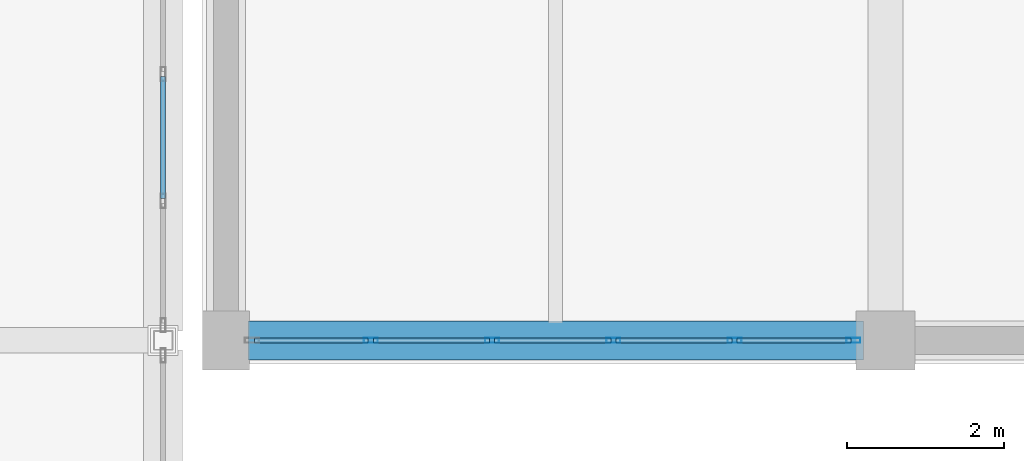
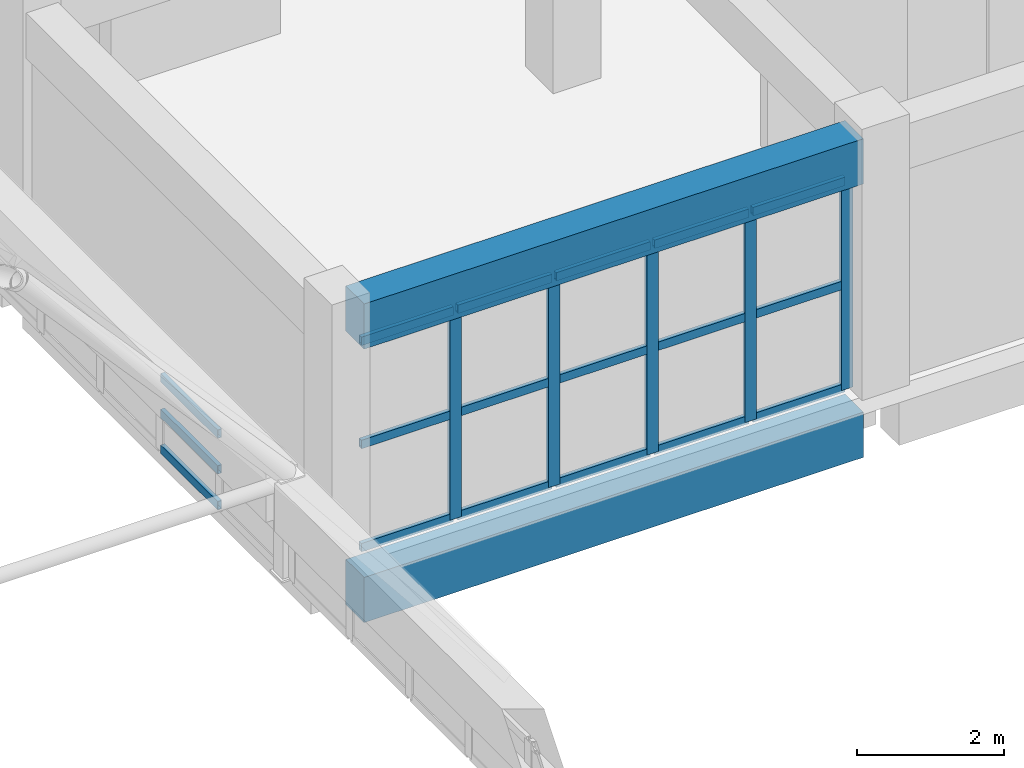
# One storey, part 70 of 114: 23 members, 2 beams, 2 elements without a shape of their own.
"""IFC4 building model written with IfcOpenShell, lengths in metres."""

from ifc_helpers import new_model, si_unit, direction, frame, origin, origin_2d, place, context, subcontext, project, spatial, rectangle, hollow_rectangle, extrude, material, layer, layer_set, material_profile, profile_set, type_object, element, aggregate, save


model = new_model("IFC4")

# Units and contexts
model_context = context("Model", 3, precision=1e-05, world=origin(), true_north=direction((0.0, 1.0)))
body_context = subcontext(model_context, "Body", "Model", "MODEL_VIEW")
ifc_project = project(units=[si_unit("LENGTHUNIT", "METRE"), si_unit("AREAUNIT", "SQUARE_METRE"), si_unit("VOLUMEUNIT", "CUBIC_METRE"), si_unit("PLANEANGLEUNIT", "RADIAN"), si_unit("MASSUNIT", "GRAM", prefix="KILO")], contexts=[model_context])

# Site, building, storey
site_placement = place(None, origin())
site = spatial("IfcSite", under=ifc_project, at=site_placement, CompositionType="ELEMENT")
building_placement = place(site_placement, origin())
building = spatial("IfcBuilding", under=site, at=building_placement, Name="Xazarin Passage Department Store", CompositionType="ELEMENT")
storey_placement = place(building_placement, frame((0.0, 0.0, 14.39990234375)))
storey = spatial("IfcBuildingStorey", under=building, at=storey_placement, Name="L03", CompositionType="ELEMENT", Elevation=14.39990234375)

# Curtain wall, members
ifc_material_1 = material(Name="Bronze anodised aluminium", Category="aluminium")
ifc_layer_1 = layer(ifc_material_1, 0.1650390625)
ifc_layer_set_1 = layer_set([ifc_layer_1], Name="Bronze anodised aluminium")
curtain_wall_type_1 = type_object("IfcCurtainWallType", Name="ARC-CW-OFF1", PredefinedType="NOTDEFINED", material=ifc_layer_set_1)
curtain_wall_1_placement = place(storey_placement, origin())
curtain_wall_1 = element("IfcCurtainWall", 1, at=curtain_wall_1_placement, inside=storey, type_object=curtain_wall_type_1, Name="L03 V4 Curtain Wall 135", PredefinedType="NOTDEFINED")
ifc_material_profile_1 = material_profile(ifc_material_1, hollow_rectangle(XDim=0.06494140625, YDim=0.179931640625, WallThickness=0.00390625, at=origin_2d()), Name="ALU 65x180")
ifc_profile_set_1 = profile_set([ifc_material_profile_1], Name="Bronze anodised aluminium")
member_type_1 = type_object("IfcMemberType", Name="ARC-CWM-65x180", PredefinedType="MULLION", material=ifc_profile_set_1)
member_1_placement = place(storey_placement, frame((104.2451171875, 84.800048828125, 0.0), z_axis=(0.0, 0.0, 1.0), x_axis=(0.0, 1.0, 0.0)))
member_1 = element("IfcMember", 2, at=member_1_placement, type_object=member_type_1, Name="CW6 mullion 2", PredefinedType="MULLION", context=body_context, shape_type="SweptSolid", body=[
    extrude(hollow_rectangle(XDim=0.06494140625, YDim=0.179931640625, WallThickness=0.00390625, at=origin_2d()), origin(), (0.0, 0.0, 1.0), 3.489990234375),
])
member_2_placement = place(storey_placement, frame((105.7900390625, 84.800048828125, 0.0), z_axis=(0.0, 0.0, 1.0), x_axis=(0.0, 1.0, 0.0)))
member_2 = element("IfcMember", 3, at=member_2_placement, type_object=member_type_1, Name="CW6 mullion 3", PredefinedType="MULLION", context=body_context, shape_type="SweptSolid", body=[
    extrude(hollow_rectangle(XDim=0.06494140625, YDim=0.179931640625, WallThickness=0.00390625, at=origin_2d()), origin(), (0.0, 0.0, 1.0), 3.489990234375),
])
member_3_placement = place(storey_placement, frame((107.3349609375, 84.800048828125, 0.0), z_axis=(0.0, 0.0, 1.0), x_axis=(0.0, 1.0, 0.0)))
member_3 = element("IfcMember", 4, at=member_3_placement, type_object=member_type_1, Name="CW6 mullion 4", PredefinedType="MULLION", context=body_context, shape_type="SweptSolid", body=[
    extrude(hollow_rectangle(XDim=0.06494140625, YDim=0.179931640625, WallThickness=0.00390625, at=origin_2d()), origin(), (0.0, 0.0, 1.0), 3.489990234375),
])
member_4_placement = place(storey_placement, frame((108.8798828125, 84.800048828125, 0.0), z_axis=(0.0, 0.0, 1.0), x_axis=(0.0, 1.0, 0.0)))
member_4 = element("IfcMember", 5, at=member_4_placement, type_object=member_type_1, Name="CW6 mullion 5", PredefinedType="MULLION", context=body_context, shape_type="SweptSolid", body=[
    extrude(hollow_rectangle(XDim=0.06494140625, YDim=0.179931640625, WallThickness=0.00390625, at=origin_2d()), origin(), (0.0, 0.0, 1.0), 3.489990234375),
])
member_5_placement = place(storey_placement, frame((110.392578125, 84.800048828125, 0.0), z_axis=(0.0, 0.0, 1.0), x_axis=(0.0, 1.0, 0.0)))
member_5 = element("IfcMember", 6, at=member_5_placement, type_object=member_type_1, Name="CW6 mullion 6", PredefinedType="MULLION", context=body_context, shape_type="SweptSolid", body=[
    extrude(hollow_rectangle(XDim=0.06494140625, YDim=0.179931640625, WallThickness=0.00390625, at=origin_2d()), origin(), (0.0, 0.0, 1.0), 3.489990234375),
])
ifc_material_profile_2 = material_profile(ifc_material_1, hollow_rectangle(XDim=0.06494140625, YDim=0.139892578125, WallThickness=0.00390625, at=origin_2d()), Name="ALU 65x140")
ifc_profile_set_2 = profile_set([ifc_material_profile_2], Name="Bronze anodised aluminium")
member_type_2 = type_object("IfcMemberType", Name="ARC-CWT-65x140", PredefinedType="USERDEFINED", material=ifc_profile_set_2)
member_6_placement = place(storey_placement, frame((102.764892578125, 84.800048828125, 0.03271484375), z_axis=(1.0, 0.0, 0.0), x_axis=(0.0, 1.0, 0.0)))
member_6 = element("IfcMember", 7, at=member_6_placement, type_object=member_type_2, Name="CW6 transom 1.1", ObjectType="TRANSOM", PredefinedType="USERDEFINED", context=body_context, shape_type="SweptSolid", body=[
    extrude(hollow_rectangle(XDim=0.06494140625, YDim=0.139892578125, WallThickness=0.00390625, at=origin_2d()), origin(), (0.0, 0.0, 1.0), 1.447509765625),
])
member_7_placement = place(storey_placement, frame((102.764892578125, 84.800048828125, 1.7451171875), z_axis=(1.0, 0.0, 0.0), x_axis=(0.0, 1.0, 0.0)))
member_7 = element("IfcMember", 8, at=member_7_placement, type_object=member_type_2, Name="CW6 transom 1.2", ObjectType="TRANSOM", PredefinedType="USERDEFINED", context=body_context, shape_type="SweptSolid", body=[
    extrude(hollow_rectangle(XDim=0.06494140625, YDim=0.139892578125, WallThickness=0.00390625, at=origin_2d()), origin(), (0.0, 0.0, 1.0), 1.447509765625),
])
member_8_placement = place(storey_placement, frame((102.764892578125, 84.800048828125, 3.45751953125), z_axis=(1.0, 0.0, 0.0), x_axis=(0.0, 1.0, 0.0)))
member_8 = element("IfcMember", 9, at=member_8_placement, type_object=member_type_2, Name="CW6 transom 1.3", ObjectType="TRANSOM", PredefinedType="USERDEFINED", context=body_context, shape_type="SweptSolid", body=[
    extrude(hollow_rectangle(XDim=0.06494140625, YDim=0.139892578125, WallThickness=0.00390625, at=origin_2d()), origin(), (0.0, 0.0, 1.0), 1.447509765625),
])
member_9_placement = place(storey_placement, frame((104.277587890625, 84.800048828125, 0.03271484375), z_axis=(1.0, 0.0, 0.0), x_axis=(0.0, 1.0, 0.0)))
member_9 = element("IfcMember", 10, at=member_9_placement, type_object=member_type_2, Name="CW6 transom 2.1", ObjectType="TRANSOM", PredefinedType="USERDEFINED", context=body_context, shape_type="SweptSolid", body=[
    extrude(hollow_rectangle(XDim=0.06494140625, YDim=0.139892578125, WallThickness=0.00390625, at=origin_2d()), origin(), (0.0, 0.0, 1.0), 1.47998046875),
])
member_10_placement = place(storey_placement, frame((104.277587890625, 84.800048828125, 1.7451171875), z_axis=(1.0, 0.0, 0.0), x_axis=(0.0, 1.0, 0.0)))
member_10 = element("IfcMember", 11, at=member_10_placement, type_object=member_type_2, Name="CW6 transom 2.2", ObjectType="TRANSOM", PredefinedType="USERDEFINED", context=body_context, shape_type="SweptSolid", body=[
    extrude(hollow_rectangle(XDim=0.06494140625, YDim=0.139892578125, WallThickness=0.00390625, at=origin_2d()), origin(), (0.0, 0.0, 1.0), 1.47998046875),
])
member_11_placement = place(storey_placement, frame((104.277587890625, 84.800048828125, 3.45751953125), z_axis=(1.0, 0.0, 0.0), x_axis=(0.0, 1.0, 0.0)))
member_11 = element("IfcMember", 12, at=member_11_placement, type_object=member_type_2, Name="CW6 transom 2.3", ObjectType="TRANSOM", PredefinedType="USERDEFINED", context=body_context, shape_type="SweptSolid", body=[
    extrude(hollow_rectangle(XDim=0.06494140625, YDim=0.139892578125, WallThickness=0.00390625, at=origin_2d()), origin(), (0.0, 0.0, 1.0), 1.47998046875),
])
member_12_placement = place(storey_placement, frame((105.822509765625, 84.800048828125, 0.03271484375), z_axis=(1.0, 0.0, 0.0), x_axis=(0.0, 1.0, 0.0)))
member_12 = element("IfcMember", 13, at=member_12_placement, type_object=member_type_2, Name="CW6 transom 3.1", ObjectType="TRANSOM", PredefinedType="USERDEFINED", context=body_context, shape_type="SweptSolid", body=[
    extrude(hollow_rectangle(XDim=0.06494140625, YDim=0.139892578125, WallThickness=0.00390625, at=origin_2d()), origin(), (0.0, 0.0, 1.0), 1.47998046875),
])
member_13_placement = place(storey_placement, frame((105.822509765625, 84.800048828125, 1.7451171875), z_axis=(1.0, 0.0, 0.0), x_axis=(0.0, 1.0, 0.0)))
member_13 = element("IfcMember", 14, at=member_13_placement, type_object=member_type_2, Name="CW6 transom 3.2", ObjectType="TRANSOM", PredefinedType="USERDEFINED", context=body_context, shape_type="SweptSolid", body=[
    extrude(hollow_rectangle(XDim=0.06494140625, YDim=0.139892578125, WallThickness=0.00390625, at=origin_2d()), origin(), (0.0, 0.0, 1.0), 1.47998046875),
])
member_14_placement = place(storey_placement, frame((105.822509765625, 84.800048828125, 3.45751953125), z_axis=(1.0, 0.0, 0.0), x_axis=(0.0, 1.0, 0.0)))
member_14 = element("IfcMember", 15, at=member_14_placement, type_object=member_type_2, Name="CW6 transom 3.3", ObjectType="TRANSOM", PredefinedType="USERDEFINED", context=body_context, shape_type="SweptSolid", body=[
    extrude(hollow_rectangle(XDim=0.06494140625, YDim=0.139892578125, WallThickness=0.00390625, at=origin_2d()), origin(), (0.0, 0.0, 1.0), 1.47998046875),
])
member_15_placement = place(storey_placement, frame((107.367431640625, 84.800048828125, 0.03271484375), z_axis=(1.0, 0.0, 0.0), x_axis=(0.0, 1.0, 0.0)))
member_15 = element("IfcMember", 16, at=member_15_placement, type_object=member_type_2, Name="CW6 transom 4.1", ObjectType="TRANSOM", PredefinedType="USERDEFINED", context=body_context, shape_type="SweptSolid", body=[
    extrude(hollow_rectangle(XDim=0.06494140625, YDim=0.139892578125, WallThickness=0.00390625, at=origin_2d()), origin(), (0.0, 0.0, 1.0), 1.47998046875),
])
member_16_placement = place(storey_placement, frame((107.367431640625, 84.800048828125, 1.7451171875), z_axis=(1.0, 0.0, 0.0), x_axis=(0.0, 1.0, 0.0)))
member_16 = element("IfcMember", 17, at=member_16_placement, type_object=member_type_2, Name="CW6 transom 4.2", ObjectType="TRANSOM", PredefinedType="USERDEFINED", context=body_context, shape_type="SweptSolid", body=[
    extrude(hollow_rectangle(XDim=0.06494140625, YDim=0.139892578125, WallThickness=0.00390625, at=origin_2d()), origin(), (0.0, 0.0, 1.0), 1.47998046875),
])
member_17_placement = place(storey_placement, frame((107.367431640625, 84.800048828125, 3.45751953125), z_axis=(1.0, 0.0, 0.0), x_axis=(0.0, 1.0, 0.0)))
member_17 = element("IfcMember", 18, at=member_17_placement, type_object=member_type_2, Name="CW6 transom 4.3", ObjectType="TRANSOM", PredefinedType="USERDEFINED", context=body_context, shape_type="SweptSolid", body=[
    extrude(hollow_rectangle(XDim=0.06494140625, YDim=0.139892578125, WallThickness=0.00390625, at=origin_2d()), origin(), (0.0, 0.0, 1.0), 1.47998046875),
])
member_18_placement = place(storey_placement, frame((108.91259765625, 84.800048828125, 0.03271484375), z_axis=(1.0, 0.0, 0.0), x_axis=(0.0, 1.0, 0.0)))
member_18 = element("IfcMember", 19, at=member_18_placement, type_object=member_type_2, Name="CW6 transom 5.1", ObjectType="TRANSOM", PredefinedType="USERDEFINED", context=body_context, shape_type="SweptSolid", body=[
    extrude(hollow_rectangle(XDim=0.06494140625, YDim=0.139892578125, WallThickness=0.00390625, at=origin_2d()), origin(), (0.0, 0.0, 1.0), 1.447509765625),
])
member_19_placement = place(storey_placement, frame((108.91259765625, 84.800048828125, 1.7451171875), z_axis=(1.0, 0.0, 0.0), x_axis=(0.0, 1.0, 0.0)))
member_19 = element("IfcMember", 20, at=member_19_placement, type_object=member_type_2, Name="CW6 transom 5.2", ObjectType="TRANSOM", PredefinedType="USERDEFINED", context=body_context, shape_type="SweptSolid", body=[
    extrude(hollow_rectangle(XDim=0.06494140625, YDim=0.139892578125, WallThickness=0.00390625, at=origin_2d()), origin(), (0.0, 0.0, 1.0), 1.447509765625),
])
member_20_placement = place(storey_placement, frame((108.91259765625, 84.800048828125, 3.45751953125), z_axis=(1.0, 0.0, 0.0), x_axis=(0.0, 1.0, 0.0)))
member_20 = element("IfcMember", 21, at=member_20_placement, type_object=member_type_2, Name="CW6 transom 5.3", ObjectType="TRANSOM", PredefinedType="USERDEFINED", context=body_context, shape_type="SweptSolid", body=[
    extrude(hollow_rectangle(XDim=0.06494140625, YDim=0.139892578125, WallThickness=0.00390625, at=origin_2d()), origin(), (0.0, 0.0, 1.0), 1.447509765625),
])
aggregate(curtain_wall_1, [member_1, member_2, member_3, member_4, member_5, member_6, member_7, member_8, member_9, member_10, member_11, member_12, member_13, member_14, member_15, member_16, member_17, member_18, member_19, member_20])

ifc_layer_2 = layer(ifc_material_1, 0.159912109375)
ifc_layer_set_2 = layer_set([ifc_layer_2], Name="Bronze anodised aluminium")
curtain_wall_type_2 = type_object("IfcCurtainWallType", Name="ARC-CW-ARC1", PredefinedType="NOTDEFINED", material=ifc_layer_set_2)
curtain_wall_2_placement = place(storey_placement, origin())
curtain_wall_2 = element("IfcCurtainWall", 22, at=curtain_wall_2_placement, inside=storey, type_object=curtain_wall_type_2, Name="L03 V2N Galleria Clerestory Curtain Wall 5E", PredefinedType="NOTDEFINED")
member_21_placement = place(storey_placement, frame((101.60009765625, 86.6083984375, 0.03271484375), z_axis=(0.0, 1.0, 0.0), x_axis=(-1.0, 0.0, 0.0)))
member_21 = element("IfcMember", 23, at=member_21_placement, type_object=member_type_2, Name="CW3 transom 2.1", ObjectType="TRANSOM", PredefinedType="USERDEFINED", context=body_context, shape_type="SweptSolid", body=[
    extrude(hollow_rectangle(XDim=0.06494140625, YDim=0.139892578125, WallThickness=0.00390625, at=origin_2d()), origin(), (0.0, 0.0, 1.0), 1.551025390625),
])
member_22_placement = place(storey_placement, frame((101.60009765625, 86.6083984375, 0.6259765625), z_axis=(0.0, 1.0, 0.0), x_axis=(-1.0, 0.0, 0.0)))
member_22 = element("IfcMember", 24, at=member_22_placement, type_object=member_type_2, Name="CW3 transom 2.2", ObjectType="TRANSOM", PredefinedType="USERDEFINED", context=body_context, shape_type="SweptSolid", body=[
    extrude(hollow_rectangle(XDim=0.06494140625, YDim=0.139892578125, WallThickness=0.00390625, at=origin_2d()), origin(), (0.0, 0.0, 1.0), 1.551025390625),
])
member_23_placement = place(storey_placement, frame((101.60009765625, 86.6083984375, 1.21923828125), z_axis=(0.0, 1.0, 0.0), x_axis=(-1.0, 0.0, 0.0)))
member_23 = element("IfcMember", 25, at=member_23_placement, type_object=member_type_2, Name="CW3 transom 2.3", ObjectType="TRANSOM", PredefinedType="USERDEFINED", context=body_context, shape_type="SweptSolid", body=[
    extrude(hollow_rectangle(XDim=0.06494140625, YDim=0.139892578125, WallThickness=0.00390625, at=origin_2d()), origin(), (0.0, 0.0, 1.0), 1.551025390625),
])
aggregate(curtain_wall_2, [member_21, member_22, member_23])

# Beams
ifc_material_2 = material(Name="Concrete C35/45", Category="concrete")
ifc_material_profile_3 = material_profile(ifc_material_2, rectangle(XDim=0.5, YDim=0.75, at=origin_2d()), Name="RC 500x750")
ifc_profile_set_3 = profile_set([ifc_material_profile_3], Name="Concrete C35/45")
beam_type = type_object("IfcBeamType", Name="STR-BM-SP500x750", PredefinedType="SPANDREL", material=ifc_profile_set_3)
for number, where, z_axis, x_axis, name in (
    (26, (102.679931640625, 84.800048828125, -0.6748046875), (1.0, 0.0, 0.0), (0.0, 1.0, 0.0), "L03 Grid Beam M/15-16"),
    (27, (102.679931640625, 84.800048828125, 3.864990234375), (1.0, 0.0, 0.0), (0.0, 1.0, 0.0), "L03 Grid Beam M/15-16"),
):
    element("IfcBeam", number, at=place(storey_placement, frame(where, z_axis=z_axis, x_axis=x_axis)), inside=storey, type_object=beam_type, Name=name, PredefinedType="SPANDREL", context=body_context, shape_type="SweptSolid", body=[
        extrude(rectangle(XDim=0.5, YDim=0.75, at=origin_2d()), origin(), (0.0, 0.0, 1.0), 7.840087890625),
    ])

save(model, "model.ifc")
